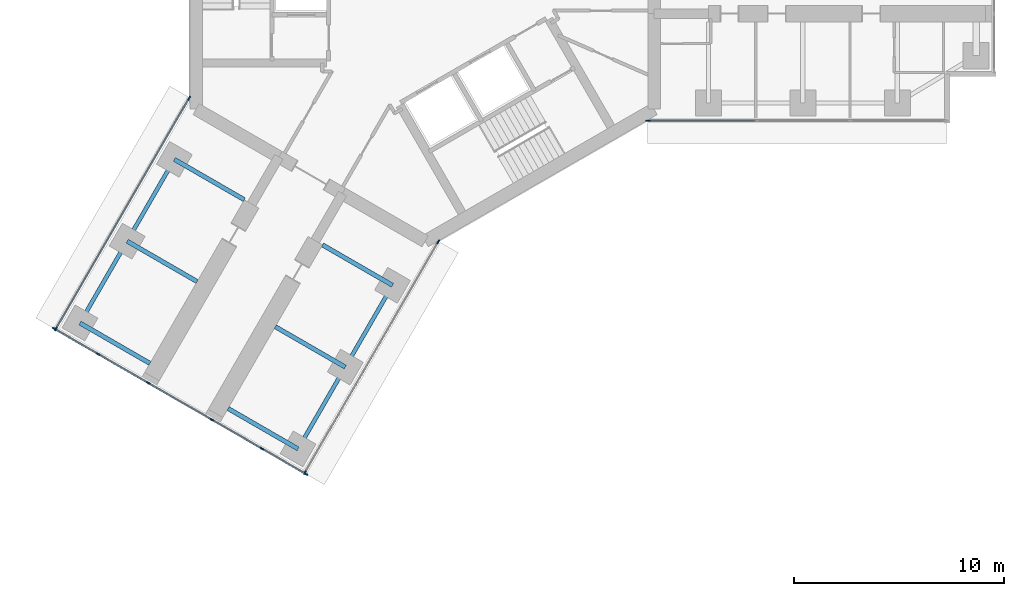
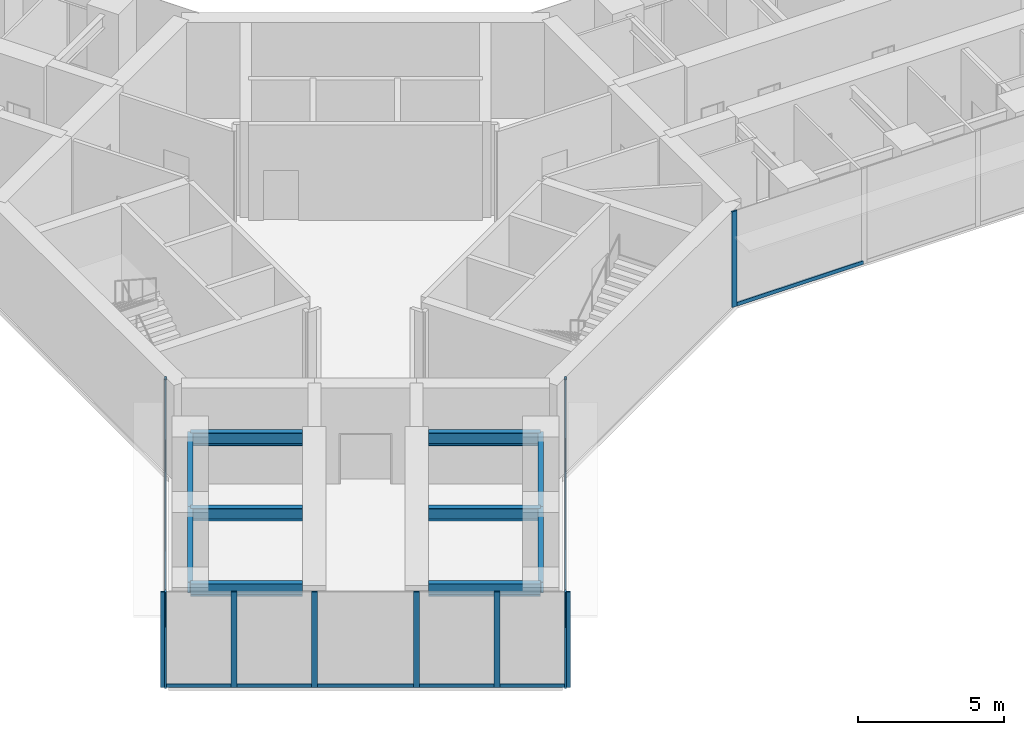
# One storey, part 2 of 23: 19 members, 10 beams, 4 elements without a shape of their own.
"""IFC4 building model written with IfcOpenShell, lengths in metres."""

from ifc_helpers import new_model, si_unit, direction, frame, origin, origin_2d, place, context, subcontext, project, spatial, rectangle, i_section, extrude, material, material_profile, profile_set, type_object, element, aggregate, save


model = new_model("IFC4")

# Units and contexts
model_context = context("Model", 3, precision=1e-05, world=origin(), true_north=direction((0.0, 1.0)))
body_context = subcontext(model_context, "Body", "Model", "MODEL_VIEW")
ifc_project = project(units=[si_unit("LENGTHUNIT", "METRE"), si_unit("AREAUNIT", "SQUARE_METRE"), si_unit("VOLUMEUNIT", "CUBIC_METRE"), si_unit("PLANEANGLEUNIT", "RADIAN"), si_unit("MASSUNIT", "GRAM", prefix="KILO")], contexts=[model_context])

# Site, building, storey
site_placement = place(None, origin())
site = spatial("IfcSite", under=ifc_project, at=site_placement, CompositionType="ELEMENT")
building_placement = place(site_placement, origin())
building = spatial("IfcBuilding", under=site, at=building_placement, Name="Upepo Twin Towers", CompositionType="ELEMENT")
storey_placement = place(building_placement, frame((0.0, 0.0, 149.5)))
storey = spatial("IfcBuildingStorey", under=building, at=storey_placement, Name="L36", CompositionType="ELEMENT", Elevation=149.5)

# Beams
ifc_material_1 = material(Name="Steel S355", Category="steel")
ifc_material_profile_1 = material_profile(ifc_material_1, i_section(OverallWidth=0.1904296875, OverallDepth=0.45703125, WebThickness=0.009033203125, FlangeThickness=0.014404296875, FilletRadius=0.01025390625, at=origin_2d()), Name="UB 457x191x74")
ifc_profile_set_1 = profile_set([ifc_material_profile_1], Name="Steel S355")
beam_type_1 = type_object("IfcBeamType", Name="Beam UB 457x191x74", PredefinedType="BEAM", material=ifc_profile_set_1)
beam_1_placement = place(storey_placement, frame((-1.553955078125, -14.69140625, 3.571533203125), z_axis=(-0.500013631625, -0.866017533419, 0.0), x_axis=(0.866017533419, -0.500013631625, 0.0)))
element("IfcBeam", 1, at=beam_1_placement, inside=storey, type_object=beam_type_1, Name="T1 edge beam CL 13.5-18.0", PredefinedType="BEAM", context=body_context, shape_type="SweptSolid", body=[
    extrude(i_section(OverallWidth=0.1904296875, OverallDepth=0.45703125, WebThickness=0.009033203125, FlangeThickness=0.014404296875, FilletRadius=0.01025390625, at=origin_2d()), origin(), (0.0, 0.0, 1.0), 4.499755859375),
])
beam_2_placement = place(storey_placement, frame((-3.803955078125, -18.58837890625, 3.571533203125), z_axis=(-0.499990139034, -0.866031096941, 0.0), x_axis=(0.866031096941, -0.499990139034, 0.0)))
element("IfcBeam", 2, at=beam_2_placement, inside=storey, type_object=beam_type_1, Name="T1 edge beam CL 18.0-22.5", PredefinedType="BEAM", context=body_context, shape_type="SweptSolid", body=[
    extrude(i_section(OverallWidth=0.1904296875, OverallDepth=0.45703125, WebThickness=0.009033203125, FlangeThickness=0.014404296875, FilletRadius=0.01025390625, at=origin_2d()), origin(), (0.0, 0.0, 1.0), 4.5),
])
beam_3_placement = place(storey_placement, frame((-11.946044921875, -8.69140625, 3.571533203125), z_axis=(-0.500013631625, -0.866017533419, 0.0), x_axis=(0.866017533419, -0.500013631625, 0.0)))
element("IfcBeam", 3, at=beam_3_placement, inside=storey, type_object=beam_type_1, Name="T1 edge beam CR 13.5-18.0", PredefinedType="BEAM", context=body_context, shape_type="SweptSolid", body=[
    extrude(i_section(OverallWidth=0.1904296875, OverallDepth=0.45703125, WebThickness=0.009033203125, FlangeThickness=0.014404296875, FilletRadius=0.01025390625, at=origin_2d()), origin(), (0.0, 0.0, 1.0), 4.499755859375),
])
beam_4_placement = place(storey_placement, frame((-14.196044921875, -12.58837890625, 3.571533203125), z_axis=(-0.499990139034, -0.866031096941, 0.0), x_axis=(0.866031096941, -0.499990139034, 0.0)))
element("IfcBeam", 4, at=beam_4_placement, inside=storey, type_object=beam_type_1, Name="T1 edge beam CR 18.0-22.5", PredefinedType="BEAM", context=body_context, shape_type="SweptSolid", body=[
    extrude(i_section(OverallWidth=0.1904296875, OverallDepth=0.45703125, WebThickness=0.009033203125, FlangeThickness=0.014404296875, FilletRadius=0.01025390625, at=origin_2d()), origin(), (0.0, 0.0, 1.0), 4.5),
])
ifc_material_2 = material(Name="Steel S355", Category="steel")
ifc_material_profile_2 = material_profile(ifc_material_2, i_section(OverallWidth=0.209228515625, OverallDepth=0.533203125, WebThickness=0.010009765625, FlangeThickness=0.015625, FilletRadius=0.0126953125, at=origin_2d()), Name="UB 533x210x92")
ifc_profile_set_2 = profile_set([ifc_material_profile_2], Name="Steel S355")
beam_type_2 = type_object("IfcBeamType", Name="Beam UB 533x210x92", PredefinedType="BEAM", material=ifc_profile_set_2)
beam_5_placement = place(storey_placement, frame((-1.553955078125, -14.69140625, 3.533447265625), z_axis=(-0.866006051527, 0.500033517596, 0.0), x_axis=(-0.500033517596, -0.866006051527, 0.0)))
element("IfcBeam", 5, at=beam_5_placement, inside=storey, type_object=beam_type_2, Name="T1 girder CL at 13.5", PredefinedType="BEAM", context=body_context, shape_type="SweptSolid", body=[
    extrude(i_section(OverallWidth=0.209228515625, OverallDepth=0.533203125, WebThickness=0.010009765625, FlangeThickness=0.015625, FilletRadius=0.0126953125, at=origin_2d()), origin(), (0.0, 0.0, 1.0), 3.849853515625),
])
beam_6_placement = place(storey_placement, frame((-3.803955078125, -18.58837890625, 3.533447265625), z_axis=(-0.866033512162, 0.499985955615, 0.0), x_axis=(-0.499985955615, -0.866033512162, 0.0)))
element("IfcBeam", 6, at=beam_6_placement, inside=storey, type_object=beam_type_2, Name="T1 girder CL at 18.0", PredefinedType="BEAM", context=body_context, shape_type="SweptSolid", body=[
    extrude(i_section(OverallWidth=0.209228515625, OverallDepth=0.533203125, WebThickness=0.010009765625, FlangeThickness=0.015625, FilletRadius=0.0126953125, at=origin_2d()), origin(), (0.0, 0.0, 1.0), 3.849609375),
])
for number, where, z_axis, x_axis, name in (
    (7, (-6.053955078125, -22.485595703125, 3.533447265625), (-0.866006051527, 0.500033517596, 0.0), (-0.500033517596, -0.866006051527, 0.0), "T1 girder CL at 22.5"),
    (8, (-11.946044921875, -8.69140625, 3.533447265625), (0.866006051527, -0.500033517596, 0.0), (0.500033517596, 0.866006051527, 0.0), "T1 girder CR at 13.5"),
    (9, (-14.196044921875, -12.58837890625, 3.533447265625), (0.866006051527, -0.500033517596, 0.0), (0.500033517596, 0.866006051527, 0.0), "T1 girder CR at 18.0"),
    (10, (-16.446044921875, -16.485595703125, 3.533447265625), (0.866006051527, -0.500033517596, 0.0), (0.500033517596, 0.866006051527, 0.0), "T1 girder CR at 22.5"),
):
    element("IfcBeam", number, at=place(storey_placement, frame(where, z_axis=z_axis, x_axis=x_axis)), inside=storey, type_object=beam_type_2, Name=name, PredefinedType="BEAM", context=body_context, shape_type="SweptSolid", body=[
        extrude(i_section(OverallWidth=0.209228515625, OverallDepth=0.533203125, WebThickness=0.010009765625, FlangeThickness=0.015625, FilletRadius=0.0126953125, at=origin_2d()), origin(), (0.0, 0.0, 1.0), 3.849853515625),
    ])

# Curtain wall, member
ifc_material_3 = material(Name="Aluminium and fritted glass", Category="aluminium")
curtain_wall_type = type_object("IfcCurtainWallType", Name="Tower curtain wall TW2, fritted glass", PredefinedType="NOTDEFINED", material=ifc_material_3)
curtain_wall_1_placement = place(storey_placement, origin())
curtain_wall_1 = element("IfcCurtainWall", 11, at=curtain_wall_1_placement, inside=storey, type_object=curtain_wall_type, Name="T1 L36 wing A flank R curtain wall", PredefinedType="NOTDEFINED")
ifc_material_4 = material(Name="Aluminium mullion", Category="aluminium")
ifc_material_profile_3 = material_profile(ifc_material_4, rectangle(XDim=0.06494140625, YDim=0.199951171875, at=origin_2d()), Name="MULLION 65x200")
ifc_profile_set_3 = profile_set([ifc_material_profile_3], Name="Aluminium mullion")
member_type_1 = type_object("IfcMemberType", Name="Mullion 65x200 TW2", PredefinedType="MULLION", material=ifc_profile_set_3)
member_1_placement = place(storey_placement, frame((10.61962890625, -6.85009765625, 0.0), z_axis=(0.0, 0.0, 1.0), x_axis=(0.0, -1.0, 0.0)))
member_1 = element("IfcMember", 12, at=member_1_placement, type_object=member_type_1, Name="T1 L36 wing A flank R curtain wall mullion 4", PredefinedType="MULLION", context=body_context, shape_type="SweptSolid", body=[
    extrude(rectangle(XDim=0.06494140625, YDim=0.199951171875, at=origin_2d()), origin(), (0.0, 0.0, 1.0), 4.0),
])

# Curtain wall, members
curtain_wall_2_placement = place(storey_placement, origin())
curtain_wall_2 = element("IfcCurtainWall", 13, at=curtain_wall_2_placement, inside=storey, type_object=curtain_wall_type, Name="T1 L36 wing C flank L curtain wall", PredefinedType="NOTDEFINED")
member_2_placement = place(storey_placement, frame((0.62255859375, -12.621826171875, 0.0), z_axis=(0.0, 0.0, 1.0), x_axis=(0.866025399212, -0.50000000792, 0.0)))
member_2 = element("IfcMember", 14, at=member_2_placement, type_object=member_type_1, Name="T1 L36 wing C flank L curtain wall mullion 1", PredefinedType="MULLION", context=body_context, shape_type="SweptSolid", body=[
    extrude(rectangle(XDim=0.06494140625, YDim=0.199951171875, at=origin_2d()), origin(), (0.0, 0.0, 1.0), 4.0),
])
member_3_placement = place(storey_placement, frame((-5.7265625, -23.61865234375, 0.0), z_axis=(0.0, 0.0, 1.0), x_axis=(0.866025399212, -0.50000000792, 0.0)))
member_3 = element("IfcMember", 15, at=member_3_placement, type_object=member_type_1, Name="T1 L36 wing C flank L curtain wall mullion 2", PredefinedType="MULLION", context=body_context, shape_type="SweptSolid", body=[
    extrude(rectangle(XDim=0.06494140625, YDim=0.199951171875, at=origin_2d()), origin(), (0.0, 0.0, 1.0), 4.0),
])

curtain_wall_3_placement = place(storey_placement, origin())
curtain_wall_3 = element("IfcCurtainWall", 16, at=curtain_wall_3_placement, inside=storey, type_object=curtain_wall_type, Name="T1 L36 wing C flank R curtain wall", PredefinedType="NOTDEFINED")
member_4_placement = place(storey_placement, frame((-17.591064453125, -16.7685546875, 0.0), z_axis=(0.0, 0.0, 1.0), x_axis=(-0.866025399212, 0.50000000792, 0.0)))
member_4 = element("IfcMember", 17, at=member_4_placement, type_object=member_type_1, Name="T1 L36 wing C flank R curtain wall mullion 1", PredefinedType="MULLION", context=body_context, shape_type="SweptSolid", body=[
    extrude(rectangle(XDim=0.06494140625, YDim=0.199951171875, at=origin_2d()), origin(), (0.0, 0.0, 1.0), 4.0),
])
member_5_placement = place(storey_placement, frame((-11.2421875, -5.77197265625, 0.0), z_axis=(0.0, 0.0, 1.0), x_axis=(-0.866025399212, 0.50000000792, 0.0)))
member_5 = element("IfcMember", 18, at=member_5_placement, type_object=member_type_1, Name="T1 L36 wing C flank R curtain wall mullion 2", PredefinedType="MULLION", context=body_context, shape_type="SweptSolid", body=[
    extrude(rectangle(XDim=0.06494140625, YDim=0.199951171875, at=origin_2d()), origin(), (0.0, 0.0, 1.0), 4.0),
])

curtain_wall_4_placement = place(storey_placement, origin())
curtain_wall_4 = element("IfcCurtainWall", 19, at=curtain_wall_4_placement, inside=storey, type_object=curtain_wall_type, Name="T1 L36 wing C nose curtain wall", PredefinedType="NOTDEFINED")
member_6_placement = place(storey_placement, frame((-17.665771484375, -16.762939453125, 0.0), z_axis=(0.0, 0.0, 1.0), x_axis=(0.499999972355, 0.866025419745, 0.0)))
member_6 = element("IfcMember", 20, at=member_6_placement, type_object=member_type_1, Name="T1 L36 wing C nose curtain wall mullion 1", PredefinedType="MULLION", context=body_context, shape_type="SweptSolid", body=[
    extrude(rectangle(XDim=0.06494140625, YDim=0.199951171875, at=origin_2d()), origin(), (0.0, 0.0, 1.0), 4.0),
])
member_7_placement = place(storey_placement, frame((-15.572021484375, -17.9716796875, 0.0), z_axis=(0.0, 0.0, 1.0), x_axis=(0.499999972355, 0.866025419745, 0.0)))
member_7 = element("IfcMember", 21, at=member_7_placement, type_object=member_type_1, Name="T1 L36 wing C nose curtain wall mullion 2", PredefinedType="MULLION", context=body_context, shape_type="SweptSolid", body=[
    extrude(rectangle(XDim=0.06494140625, YDim=0.199951171875, at=origin_2d()), origin(), (0.0, 0.0, 1.0), 4.0),
])
member_8_placement = place(storey_placement, frame((-13.1904296875, -19.3466796875, 0.0), z_axis=(0.0, 0.0, 1.0), x_axis=(0.499999972355, 0.866025419745, 0.0)))
member_8 = element("IfcMember", 22, at=member_8_placement, type_object=member_type_1, Name="T1 L36 wing C nose curtain wall mullion 3", PredefinedType="MULLION", context=body_context, shape_type="SweptSolid", body=[
    extrude(rectangle(XDim=0.06494140625, YDim=0.199951171875, at=origin_2d()), origin(), (0.0, 0.0, 1.0), 4.0),
])
member_9_placement = place(storey_placement, frame((-10.159423828125, -21.0966796875, 0.0), z_axis=(0.0, 0.0, 1.0), x_axis=(0.499999972355, 0.866025419745, 0.0)))
member_9 = element("IfcMember", 23, at=member_9_placement, type_object=member_type_1, Name="T1 L36 wing C nose curtain wall mullion 4", PredefinedType="MULLION", context=body_context, shape_type="SweptSolid", body=[
    extrude(rectangle(XDim=0.06494140625, YDim=0.199951171875, at=origin_2d()), origin(), (0.0, 0.0, 1.0), 4.0),
])
member_10_placement = place(storey_placement, frame((-7.77783203125, -22.4716796875, 0.0), z_axis=(0.0, 0.0, 1.0), x_axis=(0.499999972355, 0.866025419745, 0.0)))
member_10 = element("IfcMember", 24, at=member_10_placement, type_object=member_type_1, Name="T1 L36 wing C nose curtain wall mullion 5", PredefinedType="MULLION", context=body_context, shape_type="SweptSolid", body=[
    extrude(rectangle(XDim=0.06494140625, YDim=0.199951171875, at=origin_2d()), origin(), (0.0, 0.0, 1.0), 4.0),
])
member_11_placement = place(storey_placement, frame((-5.684326171875, -23.680419921875, 0.0), z_axis=(0.0, 0.0, 1.0), x_axis=(0.499999972355, 0.866025419745, 0.0)))
member_11 = element("IfcMember", 25, at=member_11_placement, type_object=member_type_1, Name="T1 L36 wing C nose curtain wall mullion 6", PredefinedType="MULLION", context=body_context, shape_type="SweptSolid", body=[
    extrude(rectangle(XDim=0.06494140625, YDim=0.199951171875, at=origin_2d()), origin(), (0.0, 0.0, 1.0), 4.0),
])

# Member
ifc_material_5 = material(Name="Aluminium transom", Category="aluminium")
ifc_material_profile_4 = material_profile(ifc_material_5, rectangle(XDim=0.06494140625, YDim=0.14990234375, at=origin_2d()), Name="TRANSOM 65x150")
ifc_profile_set_4 = profile_set([ifc_material_profile_4], Name="Aluminium transom")
member_type_2 = type_object("IfcMemberType", Name="Transom 65x150 TW2", PredefinedType="USERDEFINED", material=ifc_profile_set_4)
member_12_placement = place(storey_placement, frame((15.717529296875, -6.85009765625, 0.074951171875), z_axis=(-1.0, 0.0, 0.0), x_axis=(0.0, -1.0, 0.0)))
member_12 = element("IfcMember", 26, at=member_12_placement, type_object=member_type_2, Name="T1 L36 wing A flank R curtain wall transom 3", ObjectType="TRANSOM", PredefinedType="USERDEFINED", context=body_context, shape_type="SweptSolid", body=[
    extrude(rectangle(XDim=0.06494140625, YDim=0.14990234375, at=origin_2d()), origin(), (0.0, 0.0, 1.0), 5.0654296875),
])

aggregate(curtain_wall_1, [member_1, member_12])

member_13_placement = place(storey_placement, frame((0.606201171875, -12.64990234375, 0.074951171875), z_axis=(-0.499996807431, -0.866027247007, 0.0), x_axis=(0.866027247007, -0.499996807431, 0.0)))
member_13 = element("IfcMember", 27, at=member_13_placement, type_object=member_type_2, Name="T1 L36 wing C flank L curtain wall transom 1", ObjectType="TRANSOM", PredefinedType="USERDEFINED", context=body_context, shape_type="SweptSolid", body=[
    extrude(rectangle(XDim=0.06494140625, YDim=0.14990234375, at=origin_2d()), origin(), (0.0, 0.0, 1.0), 12.6328125),
])

aggregate(curtain_wall_2, [member_2, member_3, member_13])

member_14_placement = place(storey_placement, frame((-17.57470703125, -16.740478515625, 0.074951171875), z_axis=(0.499996807431, 0.866027247007, 0.0), x_axis=(-0.866027247007, 0.499996807431, 0.0)))
member_14 = element("IfcMember", 28, at=member_14_placement, type_object=member_type_2, Name="T1 L36 wing C flank R curtain wall transom 1", ObjectType="TRANSOM", PredefinedType="USERDEFINED", context=body_context, shape_type="SweptSolid", body=[
    extrude(rectangle(XDim=0.06494140625, YDim=0.14990234375, at=origin_2d()), origin(), (0.0, 0.0, 1.0), 12.6328125),
])

aggregate(curtain_wall_3, [member_4, member_5, member_14])

member_15_placement = place(storey_placement, frame((-17.6376953125, -16.779296875, 0.074951171875), z_axis=(0.866069800327, -0.499923095048, 0.0), x_axis=(0.499923095048, 0.866069800327, 0.0)))
member_15 = element("IfcMember", 29, at=member_15_placement, type_object=member_type_2, Name="T1 L36 wing C nose curtain wall transom 1", ObjectType="TRANSOM", PredefinedType="USERDEFINED", context=body_context, shape_type="SweptSolid", body=[
    extrude(rectangle(XDim=0.06494140625, YDim=0.14990234375, at=origin_2d()), origin(), (0.0, 0.0, 1.0), 2.352294921875),
])

member_16_placement = place(storey_placement, frame((-15.5439453125, -17.988037109375, 0.074951171875), z_axis=(0.8660523339, -0.49995335277, 0.0), x_axis=(0.49995335277, 0.8660523339, 0.0)))
member_16 = element("IfcMember", 30, at=member_16_placement, type_object=member_type_2, Name="T1 L36 wing C nose curtain wall transom 2", ObjectType="TRANSOM", PredefinedType="USERDEFINED", context=body_context, shape_type="SweptSolid", body=[
    extrude(rectangle(XDim=0.06494140625, YDim=0.14990234375, at=origin_2d()), origin(), (0.0, 0.0, 1.0), 2.684814453125),
])

member_17_placement = place(storey_placement, frame((-13.162353515625, -19.363037109375, 0.074951171875), z_axis=(0.866056579774, -0.499945997713, 0.0), x_axis=(0.499945997713, 0.866056579774, 0.0)))
member_17 = element("IfcMember", 31, at=member_17_placement, type_object=member_type_2, Name="T1 L36 wing C nose curtain wall transom 3", ObjectType="TRANSOM", PredefinedType="USERDEFINED", context=body_context, shape_type="SweptSolid", body=[
    extrude(rectangle(XDim=0.06494140625, YDim=0.14990234375, at=origin_2d()), origin(), (0.0, 0.0, 1.0), 3.43505859375),
])

member_18_placement = place(storey_placement, frame((-10.13134765625, -21.113037109375, 0.074951171875), z_axis=(0.8660523339, -0.49995335277, 0.0), x_axis=(0.49995335277, 0.8660523339, 0.0)))
member_18 = element("IfcMember", 32, at=member_18_placement, type_object=member_type_2, Name="T1 L36 wing C nose curtain wall transom 4", ObjectType="TRANSOM", PredefinedType="USERDEFINED", context=body_context, shape_type="SweptSolid", body=[
    extrude(rectangle(XDim=0.06494140625, YDim=0.14990234375, at=origin_2d()), origin(), (0.0, 0.0, 1.0), 2.684814453125),
])

member_19_placement = place(storey_placement, frame((-7.749755859375, -22.488037109375, 0.074951171875), z_axis=(0.866024864377, -0.50000093428, 0.0), x_axis=(0.50000093428, 0.866024864377, 0.0)))
member_19 = element("IfcMember", 33, at=member_19_placement, type_object=member_type_2, Name="T1 L36 wing C nose curtain wall transom 5", ObjectType="TRANSOM", PredefinedType="USERDEFINED", context=body_context, shape_type="SweptSolid", body=[
    extrude(rectangle(XDim=0.06494140625, YDim=0.14990234375, at=origin_2d()), origin(), (0.0, 0.0, 1.0), 2.3525390625),
])

aggregate(curtain_wall_4, [member_6, member_7, member_8, member_9, member_10, member_11, member_15, member_16, member_17, member_18, member_19])

save(model, "model.ifc")
